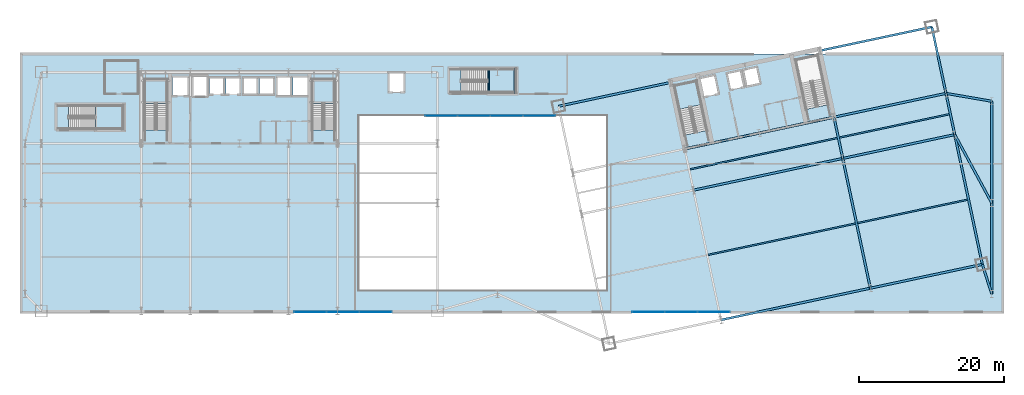
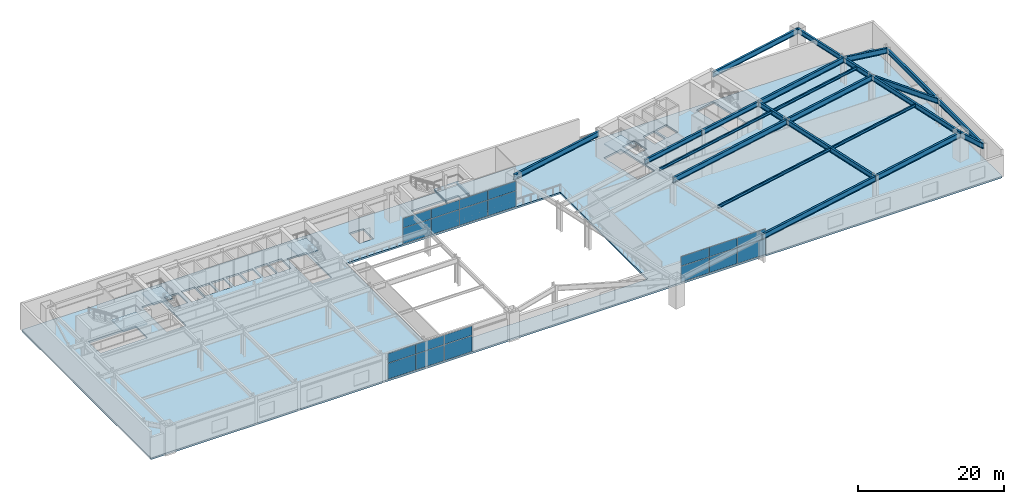
# One storey, part 15 of 30: 25 beams, 20 plates, 6 slabs, 8 elements without a shape of their own.
"""IFC4 building model written with IfcOpenShell, lengths in metres."""

from ifc_helpers import new_model, si_unit, direction, frame, origin, origin_2d, place, context, subcontext, project, spatial, polyline, rectangle, i_section, outline, extrude, material, layer, layer_set, material_profile, profile_set, type_object, element, aggregate, save


model = new_model("IFC4")

# Units and contexts
model_context = context("Model", 3, precision=1e-05, world=origin(), true_north=direction((0.0, 1.0)))
body_context = subcontext(model_context, "Body", "Model", "MODEL_VIEW")
ifc_project = project(units=[si_unit("LENGTHUNIT", "METRE"), si_unit("AREAUNIT", "SQUARE_METRE"), si_unit("VOLUMEUNIT", "CUBIC_METRE"), si_unit("PLANEANGLEUNIT", "RADIAN"), si_unit("MASSUNIT", "GRAM", prefix="KILO")], contexts=[model_context])

# Site, building, storey
site_placement = place(None, origin())
site = spatial("IfcSite", under=ifc_project, at=site_placement, CompositionType="ELEMENT")
building_placement = place(site_placement, origin())
building = spatial("IfcBuilding", under=site, at=building_placement, Name="Haevon Station Towers", CompositionType="ELEMENT")
storey_placement = place(building_placement, frame((0.0, 0.0, 15.60009765625)))
storey = spatial("IfcBuildingStorey", under=building, at=storey_placement, Name="L03", CompositionType="ELEMENT", Elevation=15.60009765625)

# Beams
ifc_material_1 = material(Name="Steel S355", Category="steel")
ifc_material_profile_1 = material_profile(ifc_material_1, i_section(OverallWidth=0.199951171875, OverallDepth=0.449951171875, WebThickness=0.009033203125, FlangeThickness=0.013916015625, at=origin_2d()), Name="H-450x200x9x14")
ifc_profile_set_1 = profile_set([ifc_material_profile_1], Name="Steel S355")
beam_type_1 = type_object("IfcBeamType", Name="BM-J450", PredefinedType="JOIST", material=ifc_profile_set_1)
beam_1_placement = place(storey_placement, frame((101.963134765625, 22.866455078125, 4.27490234375), z_axis=(0.97814804034, 0.207909622623, 0.0), x_axis=(-0.207909622623, 0.97814804034, 0.0)))
element("IfcBeam", 1, at=beam_1_placement, inside=storey, type_object=beam_type_1, Name="BM-T2J-L03-01-02", PredefinedType="JOIST", context=body_context, shape_type="SweptSolid", body=[
    extrude(i_section(OverallWidth=0.199951171875, OverallDepth=0.449951171875, WebThickness=0.009033203125, FlangeThickness=0.013916015625, at=origin_2d()), origin(), (0.0, 0.0, 1.0), 20.77978515625),
])
beam_2_placement = place(storey_placement, frame((122.504150390625, 27.232666015625, 4.27490234375), z_axis=(0.978149141128, 0.207904443699, 0.0), x_axis=(-0.207904443699, 0.978149141128, 0.0)))
element("IfcBeam", 2, at=beam_2_placement, inside=storey, type_object=beam_type_1, Name="BM-T2J-L03-01-03", PredefinedType="JOIST", context=body_context, shape_type="SweptSolid", body=[
    extrude(i_section(OverallWidth=0.199951171875, OverallDepth=0.449951171875, WebThickness=0.009033203125, FlangeThickness=0.013916015625, at=origin_2d()), origin(), (0.0, 0.0, 1.0), 15.530029296875),
])
beam_3_placement = place(storey_placement, frame((99.462890625, 34.628662109375, 4.27490234375), z_axis=(0.978148548197, 0.207907233306, 0.0), x_axis=(-0.207907233306, 0.978148548197, 0.0)))
element("IfcBeam", 3, at=beam_3_placement, inside=storey, type_object=beam_type_1, Name="BM-T2J-L03-02-02", PredefinedType="JOIST", context=body_context, shape_type="SweptSolid", body=[
    extrude(i_section(OverallWidth=0.199951171875, OverallDepth=0.449951171875, WebThickness=0.009033203125, FlangeThickness=0.013916015625, at=origin_2d()), origin(), (0.0, 0.0, 1.0), 20.780029296875),
])
beam_4_placement = place(storey_placement, frame((120.00390625, 38.994873046875, 4.27490234375), z_axis=(0.978149141128, 0.207904443699, 0.0), x_axis=(-0.207904443699, 0.978149141128, 0.0)))
element("IfcBeam", 4, at=beam_4_placement, inside=storey, type_object=beam_type_1, Name="BM-T2J-L03-02-03", PredefinedType="JOIST", context=body_context, shape_type="SweptSolid", body=[
    extrude(i_section(OverallWidth=0.199951171875, OverallDepth=0.449951171875, WebThickness=0.009033203125, FlangeThickness=0.013916015625, at=origin_2d()), origin(), (0.0, 0.0, 1.0), 15.530029296875),
])
ifc_material_profile_2 = material_profile(ifc_material_1, i_section(OverallWidth=0.14990234375, OverallDepth=0.300048828125, WebThickness=0.006591796875, FlangeThickness=0.009033203125, at=origin_2d()), Name="H-300x150x6.5x9")
ifc_profile_set_2 = profile_set([ifc_material_profile_2], Name="Steel S355")
beam_type_2 = type_object("IfcBeamType", Name="BM-LIN300", PredefinedType="LINTEL", material=ifc_profile_set_2)
for number, where, z_axis, x_axis, name in (
    (5, (71.81396484375, 45.0, 2.0498046875), (0.0, 1.0, 0.0), (-1.0, 0.0, 0.0), "BM-ST6L-L03-1-W"),
    (6, (75.320068359375, 45.0, 2.0498046875), (0.0, 1.0, 0.0), (-1.0, 0.0, 0.0), "BM-ST6L-L03-1-E"),
):
    element("IfcBeam", number, at=place(storey_placement, frame(where, z_axis=z_axis, x_axis=x_axis)), inside=storey, type_object=beam_type_2, Name=name, PredefinedType="LINTEL", context=body_context, shape_type="SweptSolid", body=[
        extrude(i_section(OverallWidth=0.14990234375, OverallDepth=0.300048828125, WebThickness=0.006591796875, FlangeThickness=0.009033203125, at=origin_2d()), origin(), (0.0, 0.0, 1.0), 3.60009765625),
    ])
ifc_material_profile_3 = material_profile(ifc_material_1, i_section(OverallWidth=0.300048828125, OverallDepth=0.800048828125, WebThickness=0.013916015625, FlangeThickness=0.02587890625, at=origin_2d()), Name="H-800x300x14x26")
ifc_profile_set_3 = profile_set([ifc_material_profile_3], Name="Steel S355")
beam_type_3 = type_object("IfcBeamType", Name="BM-PG800", PredefinedType="BEAM", material=ifc_profile_set_3)
for number, where, z_axis, x_axis, name in (
    (7, (98.75244140625, 37.4423828125, 4.099853515625), (0.978146794194, 0.207915485254, 0.0), (-0.207915485254, 0.978146794194, 0.0), "BM-T2U-L03-03-02"),
    (8, (109.02294921875, 39.62548828125, 4.099853515625), (0.978146794194, 0.207915485254, 0.0), (-0.207915485254, 0.978146794194, 0.0), "BM-T2U-L03-03-03"),
):
    element("IfcBeam", number, at=place(storey_placement, frame(where, z_axis=z_axis, x_axis=x_axis)), inside=storey, type_object=beam_type_3, Name=name, PredefinedType="BEAM", context=body_context, shape_type="SweptSolid", body=[
        extrude(i_section(OverallWidth=0.300048828125, OverallDepth=0.800048828125, WebThickness=0.013916015625, FlangeThickness=0.02587890625, at=origin_2d()), origin(), (0.0, 0.0, 1.0), 10.5),
    ])
beam_5_placement = place(storey_placement, frame((124.293701171875, 18.2841796875, 4.099853515625), z_axis=(-0.207915393978, 0.978146813595, 0.0), x_axis=(-0.978146813595, -0.207915393978, 0.0)))
element("IfcBeam", 9, at=beam_5_placement, inside=storey, type_object=beam_type_3, Name="BM-T2V-L03-04-01", PredefinedType="BEAM", context=body_context, shape_type="SweptSolid", body=[
    extrude(i_section(OverallWidth=0.300048828125, OverallDepth=0.800048828125, WebThickness=0.013916015625, FlangeThickness=0.02587890625, at=origin_2d()), origin(), (0.0, 0.0, 1.0), 18.25),
])
beam_6_placement = place(storey_placement, frame((120.499267578125, 36.13525390625, 4.099853515625), z_axis=(-0.207896009217, 0.97815093383, 0.0), x_axis=(-0.97815093383, -0.207896009217, 0.0)))
element("IfcBeam", 10, at=beam_6_placement, inside=storey, type_object=beam_type_3, Name="BM-T2V-L03-04-02", PredefinedType="BEAM", context=body_context, shape_type="SweptSolid", body=[
    extrude(i_section(OverallWidth=0.300048828125, OverallDepth=0.800048828125, WebThickness=0.013916015625, FlangeThickness=0.02587890625, at=origin_2d()), origin(), (0.0, 0.0, 1.0), 5.800048828125),
])
beam_7_placement = place(storey_placement, frame((139.699462890625, 21.558837890625, 4.099853515625), z_axis=(-0.207902594577, 0.978149534155, 0.0), x_axis=(-0.978149534155, -0.207902594577, 0.0)))
element("IfcBeam", 11, at=beam_7_placement, inside=storey, type_object=beam_type_3, Name="BM-T2V-L03-05-01", PredefinedType="BEAM", context=body_context, shape_type="SweptSolid", body=[
    extrude(i_section(OverallWidth=0.300048828125, OverallDepth=0.800048828125, WebThickness=0.013916015625, FlangeThickness=0.02587890625, at=origin_2d()), origin(), (0.0, 0.0, 1.0), 18.249755859375),
])
beam_8_placement = place(storey_placement, frame((135.9052734375, 39.409912109375, 4.099853515625), z_axis=(-0.207936282142, 0.978142373363, 0.0), x_axis=(-0.978142373363, -0.207936282142, 0.0)))
element("IfcBeam", 12, at=beam_8_placement, inside=storey, type_object=beam_type_3, Name="BM-T2V-L03-05-02", PredefinedType="BEAM", context=body_context, shape_type="SweptSolid", body=[
    extrude(i_section(OverallWidth=0.300048828125, OverallDepth=0.800048828125, WebThickness=0.013916015625, FlangeThickness=0.02587890625, at=origin_2d()), origin(), (0.0, 0.0, 1.0), 5.800048828125),
])
beam_9_placement = place(storey_placement, frame((134.69921875, 45.083251953125, 4.099853515625), z_axis=(-0.207902477038, 0.978149559138, 0.0), x_axis=(-0.978149559138, -0.207902477038, 0.0)))
element("IfcBeam", 13, at=beam_9_placement, inside=storey, type_object=beam_type_3, Name="BM-T2V-L03-05-03", PredefinedType="BEAM", context=body_context, shape_type="SweptSolid", body=[
    extrude(i_section(OverallWidth=0.300048828125, OverallDepth=0.800048828125, WebThickness=0.013916015625, FlangeThickness=0.02587890625, at=origin_2d()), origin(), (0.0, 0.0, 1.0), 9.349853515625),
])
beam_10_placement = place(storey_placement, frame((141.0, 17.5, 4.099853515625), z_axis=(0.0, 1.0, 0.0), x_axis=(-1.0, 0.0, 0.0)))
element("IfcBeam", 14, at=beam_10_placement, inside=storey, type_object=beam_type_3, Name="BM-PODNS-L03-E1", PredefinedType="BEAM", context=body_context, shape_type="SweptSolid", body=[
    extrude(i_section(OverallWidth=0.300048828125, OverallDepth=0.800048828125, WebThickness=0.013916015625, FlangeThickness=0.02587890625, at=origin_2d()), origin(), (0.0, 0.0, 1.0), 12.5),
])
beam_11_placement = place(storey_placement, frame((141.0, 30.0, 4.099853515625), z_axis=(0.0, 1.0, 0.0), x_axis=(-1.0, 0.0, 0.0)))
element("IfcBeam", 15, at=beam_11_placement, inside=storey, type_object=beam_type_3, Name="BM-PODNS-L03-E2", PredefinedType="BEAM", context=body_context, shape_type="SweptSolid", body=[
    extrude(i_section(OverallWidth=0.300048828125, OverallDepth=0.800048828125, WebThickness=0.013916015625, FlangeThickness=0.02587890625, at=origin_2d()), origin(), (0.0, 0.0, 1.0), 14.0),
])
ifc_material_profile_4 = material_profile(ifc_material_1, i_section(OverallWidth=0.300048828125, OverallDepth=0.89990234375, WebThickness=0.01611328125, FlangeThickness=0.028076171875, at=origin_2d()), Name="H-900x300x16x28")
ifc_profile_set_4 = profile_set([ifc_material_profile_4], Name="Steel S355")
beam_type_4 = type_object("IfcBeamType", Name="BM-PG900", PredefinedType="BEAM", material=ifc_profile_set_4)
beam_12_placement = place(storey_placement, frame((103.752685546875, 13.91796875, 4.0498046875), z_axis=(0.978146794194, 0.207915485254, 0.0), x_axis=(-0.207915485254, 0.978146794194, 0.0)))
element("IfcBeam", 16, at=beam_12_placement, inside=storey, type_object=beam_type_4, Name="BM-T2U-L03-01-02", PredefinedType="BEAM", context=body_context, shape_type="SweptSolid", body=[
    extrude(i_section(OverallWidth=0.300048828125, OverallDepth=0.89990234375, WebThickness=0.01611328125, FlangeThickness=0.028076171875, at=origin_2d()), origin(), (0.0, 0.0, 1.0), 21.0),
])
beam_13_placement = place(storey_placement, frame((124.293701171875, 18.2841796875, 4.0498046875), z_axis=(0.978146794194, 0.207915485254, 0.0), x_axis=(-0.207915485254, 0.978146794194, 0.0)))
element("IfcBeam", 17, at=beam_13_placement, inside=storey, type_object=beam_type_4, Name="BM-T2U-L03-01-04", PredefinedType="BEAM", context=body_context, shape_type="SweptSolid", body=[
    extrude(i_section(OverallWidth=0.300048828125, OverallDepth=0.89990234375, WebThickness=0.01611328125, FlangeThickness=0.028076171875, at=origin_2d()), origin(), (0.0, 0.0, 1.0), 15.75),
])
beam_14_placement = place(storey_placement, frame((99.958251953125, 31.76904296875, 4.0498046875), z_axis=(0.978146794194, 0.207915485254, 0.0), x_axis=(-0.207915485254, 0.978146794194, 0.0)))
element("IfcBeam", 18, at=beam_14_placement, inside=storey, type_object=beam_type_4, Name="BM-T2U-L03-02-02", PredefinedType="BEAM", context=body_context, shape_type="SweptSolid", body=[
    extrude(i_section(OverallWidth=0.300048828125, OverallDepth=0.89990234375, WebThickness=0.01611328125, FlangeThickness=0.028076171875, at=origin_2d()), origin(), (0.0, 0.0, 1.0), 21.0),
])
beam_15_placement = place(storey_placement, frame((120.499267578125, 36.13525390625, 4.0498046875), z_axis=(0.978147464271, 0.207912332825, 0.0), x_axis=(-0.207912332825, 0.978147464271, 0.0)))
element("IfcBeam", 19, at=beam_15_placement, inside=storey, type_object=beam_type_4, Name="BM-T2U-L03-02-04", PredefinedType="BEAM", context=body_context, shape_type="SweptSolid", body=[
    extrude(i_section(OverallWidth=0.300048828125, OverallDepth=0.89990234375, WebThickness=0.01611328125, FlangeThickness=0.028076171875, at=origin_2d()), origin(), (0.0, 0.0, 1.0), 15.750244140625),
])
for number, where, z_axis, x_axis, name in (
    (20, (119.29345703125, 41.80859375, 4.0498046875), (0.978146794194, 0.207915485254, 0.0), (-0.207915485254, 0.978146794194, 0.0), "BM-T2U-L03-03-04"),
    (21, (81.402587890625, 43.3134765625, 4.0498046875), (0.978146794194, 0.207915485254, 0.0), (-0.207915485254, 0.978146794194, 0.0), "BM-T2U-L03-04-01"),
):
    element("IfcBeam", number, at=place(storey_placement, frame(where, z_axis=z_axis, x_axis=x_axis)), inside=storey, type_object=beam_type_4, Name=name, PredefinedType="BEAM", context=body_context, shape_type="SweptSolid", body=[
        extrude(i_section(OverallWidth=0.300048828125, OverallDepth=0.89990234375, WebThickness=0.01611328125, FlangeThickness=0.028076171875, at=origin_2d()), origin(), (0.0, 0.0, 1.0), 15.75),
    ])
beam_16_placement = place(storey_placement, frame((117.349365234375, 50.954345703125, 4.0498046875), z_axis=(0.978150616551, 0.207897502008, 0.0), x_axis=(-0.207897502008, 0.978150616551, 0.0)))
element("IfcBeam", 22, at=beam_16_placement, inside=storey, type_object=beam_type_4, Name="BM-T2U-L03-04-04", PredefinedType="BEAM", context=body_context, shape_type="SweptSolid", body=[
    extrude(i_section(OverallWidth=0.300048828125, OverallDepth=0.89990234375, WebThickness=0.01611328125, FlangeThickness=0.028076171875, at=origin_2d()), origin(), (0.0, 0.0, 1.0), 15.750244140625),
])
beam_17_placement = place(storey_placement, frame((139.699462890625, 21.558837890625, 4.0498046875), z_axis=(0.305139430983, -0.952307685393, 0.0), x_axis=(0.952307685393, 0.305139430983, 0.0)))
element("IfcBeam", 23, at=beam_17_placement, inside=storey, type_object=beam_type_4, Name="BM-PODE-L03-1", PredefinedType="BEAM", context=body_context, shape_type="SweptSolid", body=[
    extrude(i_section(OverallWidth=0.300048828125, OverallDepth=0.89990234375, WebThickness=0.01611328125, FlangeThickness=0.028076171875, at=origin_2d()), origin(), (0.0, 0.0, 1.0), 4.26220703125),
])
beam_18_placement = place(storey_placement, frame((135.9052734375, 39.409912109375, 4.0498046875), z_axis=(0.476116295025, -0.879382325051, 0.0), x_axis=(0.879382325051, 0.476116295025, 0.0)))
element("IfcBeam", 24, at=beam_18_placement, inside=storey, type_object=beam_type_4, Name="BM-PODE-L03-2", PredefinedType="BEAM", context=body_context, shape_type="SweptSolid", body=[
    extrude(i_section(OverallWidth=0.300048828125, OverallDepth=0.89990234375, WebThickness=0.01611328125, FlangeThickness=0.028076171875, at=origin_2d()), origin(), (0.0, 0.0, 1.0), 10.70068359375),
])
beam_19_placement = place(storey_placement, frame((134.69921875, 45.083251953125, 4.0498046875), z_axis=(0.985540920751, -0.169437580028, 0.0), x_axis=(0.169437580028, 0.985540920751, 0.0)))
element("IfcBeam", 25, at=beam_19_placement, inside=storey, type_object=beam_type_4, Name="BM-PODE-L03-3", PredefinedType="BEAM", context=body_context, shape_type="SweptSolid", body=[
    extrude(i_section(OverallWidth=0.300048828125, OverallDepth=0.89990234375, WebThickness=0.01611328125, FlangeThickness=0.028076171875, at=origin_2d()), origin(), (0.0, 0.0, 1.0), 6.393310546875),
])

# Curtain wall, plates
ifc_material_2 = material(Name="Anodised aluminium and Low-E double glazing", Category="aluminium")
ifc_layer_1 = layer(ifc_material_2, 0.179931640625)
ifc_layer_set_1 = layer_set([ifc_layer_1], Name="Anodised aluminium and Low-E double glazing")
curtain_wall_type = type_object("IfcCurtainWallType", Name="CW-SYS2", PredefinedType="NOTDEFINED", material=ifc_layer_set_1)
curtain_wall_1_placement = place(storey_placement, origin())
curtain_wall_1 = element("IfcCurtainWall", 26, at=curtain_wall_1_placement, inside=storey, type_object=curtain_wall_type, Name="L03 Curtain Wall CW-POD-L03-S1", PredefinedType="NOTDEFINED")
ifc_material_3 = material(Name="Low-E double glazing", Category="glass")
ifc_layer_2 = layer(ifc_material_3, 0.028076171875)
ifc_layer_set_2 = layer_set([ifc_layer_2], Name="Low-E double glazing")
plate_type = type_object("IfcPlateType", Name="CWP-GLZ28", PredefinedType="CURTAIN_PANEL", material=ifc_layer_set_2)
plate_1_placement = place(storey_placement, frame((102.733642578125, 15.0, 0.06005859375), z_axis=(0.0, 0.0, 1.0), x_axis=(-1.0, 0.0, 0.0)))
plate_1 = element("IfcPlate", 27, at=plate_1_placement, type_object=plate_type, Name="CW-SYS2 panel 1.1", PredefinedType="CURTAIN_PANEL", context=body_context, shape_type="SweptSolid", body=[
    extrude(rectangle(XDim=4.402587890625, YDim=0.028076171875, at=origin_2d()), origin(), (0.0, 0.0, 1.0), 2.637939453125),
])
plate_2_placement = place(storey_placement, frame((102.733642578125, 15.0, 2.7578125), z_axis=(0.0, 0.0, 1.0), x_axis=(-1.0, 0.0, 0.0)))
plate_2 = element("IfcPlate", 28, at=plate_2_placement, type_object=plate_type, Name="CW-SYS2 panel 1.2", PredefinedType="CURTAIN_PANEL", context=body_context, shape_type="SweptSolid", body=[
    extrude(rectangle(XDim=4.402587890625, YDim=0.028076171875, at=origin_2d()), origin(), (0.0, 0.0, 1.0), 1.58203125),
])
plate_3_placement = place(storey_placement, frame((98.25, 15.0, 0.06005859375), z_axis=(0.0, 0.0, 1.0), x_axis=(-1.0, 0.0, 0.0)))
plate_3 = element("IfcPlate", 29, at=plate_3_placement, type_object=plate_type, Name="CW-SYS2 panel 2.1", PredefinedType="CURTAIN_PANEL", context=body_context, shape_type="SweptSolid", body=[
    extrude(rectangle(XDim=4.43505859375, YDim=0.028076171875, at=origin_2d()), origin(), (0.0, 0.0, 1.0), 2.637939453125),
])
plate_4_placement = place(storey_placement, frame((98.25, 15.0, 2.7578125), z_axis=(0.0, 0.0, 1.0), x_axis=(-1.0, 0.0, 0.0)))
plate_4 = element("IfcPlate", 30, at=plate_4_placement, type_object=plate_type, Name="CW-SYS2 panel 2.2", PredefinedType="CURTAIN_PANEL", context=body_context, shape_type="SweptSolid", body=[
    extrude(rectangle(XDim=4.43505859375, YDim=0.028076171875, at=origin_2d()), origin(), (0.0, 0.0, 1.0), 1.58203125),
])
plate_5_placement = place(storey_placement, frame((93.766357421875, 15.0, 0.06005859375), z_axis=(0.0, 0.0, 1.0), x_axis=(-1.0, 0.0, 0.0)))
plate_5 = element("IfcPlate", 31, at=plate_5_placement, type_object=plate_type, Name="CW-SYS2 panel 3.1", PredefinedType="CURTAIN_PANEL", context=body_context, shape_type="SweptSolid", body=[
    extrude(rectangle(XDim=4.402587890625, YDim=0.028076171875, at=origin_2d()), origin(), (0.0, 0.0, 1.0), 2.637939453125),
])
plate_6_placement = place(storey_placement, frame((93.766357421875, 15.0, 2.7578125), z_axis=(0.0, 0.0, 1.0), x_axis=(-1.0, 0.0, 0.0)))
plate_6 = element("IfcPlate", 32, at=plate_6_placement, type_object=plate_type, Name="CW-SYS2 panel 3.2", PredefinedType="CURTAIN_PANEL", context=body_context, shape_type="SweptSolid", body=[
    extrude(rectangle(XDim=4.402587890625, YDim=0.028076171875, at=origin_2d()), origin(), (0.0, 0.0, 1.0), 1.58203125),
])
aggregate(curtain_wall_1, [plate_1, plate_2, plate_3, plate_4, plate_5, plate_6])

curtain_wall_2_placement = place(storey_placement, origin())
curtain_wall_2 = element("IfcCurtainWall", 33, at=curtain_wall_2_placement, inside=storey, type_object=curtain_wall_type, Name="L03 Curtain Wall CW-POD-L03-S2", PredefinedType="NOTDEFINED")
plate_7_placement = place(storey_placement, frame((56.233642578125, 15.0, 0.06005859375), z_axis=(0.0, 0.0, 1.0), x_axis=(-1.0, 0.0, 0.0)))
plate_7 = element("IfcPlate", 34, at=plate_7_placement, type_object=plate_type, Name="CW-SYS2 panel 1.1", PredefinedType="CURTAIN_PANEL", context=body_context, shape_type="SweptSolid", body=[
    extrude(rectangle(XDim=4.402587890625, YDim=0.028076171875, at=origin_2d()), origin(), (0.0, 0.0, 1.0), 2.637939453125),
])
plate_8_placement = place(storey_placement, frame((56.233642578125, 15.0, 2.7578125), z_axis=(0.0, 0.0, 1.0), x_axis=(-1.0, 0.0, 0.0)))
plate_8 = element("IfcPlate", 35, at=plate_8_placement, type_object=plate_type, Name="CW-SYS2 panel 1.2", PredefinedType="CURTAIN_PANEL", context=body_context, shape_type="SweptSolid", body=[
    extrude(rectangle(XDim=4.402587890625, YDim=0.028076171875, at=origin_2d()), origin(), (0.0, 0.0, 1.0), 1.58203125),
])
plate_9_placement = place(storey_placement, frame((51.75, 15.0, 0.06005859375), z_axis=(0.0, 0.0, 1.0), x_axis=(-1.0, 0.0, 0.0)))
plate_9 = element("IfcPlate", 36, at=plate_9_placement, type_object=plate_type, Name="CW-SYS2 panel 2.1", PredefinedType="CURTAIN_PANEL", context=body_context, shape_type="SweptSolid", body=[
    extrude(rectangle(XDim=4.43505859375, YDim=0.028076171875, at=origin_2d()), origin(), (0.0, 0.0, 1.0), 2.637939453125),
])
plate_10_placement = place(storey_placement, frame((51.75, 15.0, 2.7578125), z_axis=(0.0, 0.0, 1.0), x_axis=(-1.0, 0.0, 0.0)))
plate_10 = element("IfcPlate", 37, at=plate_10_placement, type_object=plate_type, Name="CW-SYS2 panel 2.2", PredefinedType="CURTAIN_PANEL", context=body_context, shape_type="SweptSolid", body=[
    extrude(rectangle(XDim=4.43505859375, YDim=0.028076171875, at=origin_2d()), origin(), (0.0, 0.0, 1.0), 1.58203125),
])
plate_11_placement = place(storey_placement, frame((47.266357421875, 15.0, 0.06005859375), z_axis=(0.0, 0.0, 1.0), x_axis=(-1.0, 0.0, 0.0)))
plate_11 = element("IfcPlate", 38, at=plate_11_placement, type_object=plate_type, Name="CW-SYS2 panel 3.1", PredefinedType="CURTAIN_PANEL", context=body_context, shape_type="SweptSolid", body=[
    extrude(rectangle(XDim=4.402587890625, YDim=0.028076171875, at=origin_2d()), origin(), (0.0, 0.0, 1.0), 2.637939453125),
])
plate_12_placement = place(storey_placement, frame((47.266357421875, 15.0, 2.7578125), z_axis=(0.0, 0.0, 1.0), x_axis=(-1.0, 0.0, 0.0)))
plate_12 = element("IfcPlate", 39, at=plate_12_placement, type_object=plate_type, Name="CW-SYS2 panel 3.2", PredefinedType="CURTAIN_PANEL", context=body_context, shape_type="SweptSolid", body=[
    extrude(rectangle(XDim=4.402587890625, YDim=0.028076171875, at=origin_2d()), origin(), (0.0, 0.0, 1.0), 1.58203125),
])
aggregate(curtain_wall_2, [plate_7, plate_8, plate_9, plate_10, plate_11, plate_12])

curtain_wall_3_placement = place(storey_placement, origin())
curtain_wall_3 = element("IfcCurtainWall", 40, at=curtain_wall_3_placement, inside=storey, type_object=curtain_wall_type, Name="L03 Curtain Wall CW-POD-L03-ATRN", PredefinedType="NOTDEFINED")
plate_13_placement = place(storey_placement, frame((65.266357421875, 42.0, 0.06005859375), z_axis=(0.0, 0.0, 1.0), x_axis=(1.0, 0.0, 0.0)))
plate_13 = element("IfcPlate", 41, at=plate_13_placement, type_object=plate_type, Name="CW-SYS2 panel 1.1", PredefinedType="CURTAIN_PANEL", context=body_context, shape_type="SweptSolid", body=[
    extrude(rectangle(XDim=4.402587890625, YDim=0.028076171875, at=origin_2d()), origin(), (0.0, 0.0, 1.0), 2.637939453125),
])
plate_14_placement = place(storey_placement, frame((65.266357421875, 42.0, 2.7578125), z_axis=(0.0, 0.0, 1.0), x_axis=(1.0, 0.0, 0.0)))
plate_14 = element("IfcPlate", 42, at=plate_14_placement, type_object=plate_type, Name="CW-SYS2 panel 1.2", PredefinedType="CURTAIN_PANEL", context=body_context, shape_type="SweptSolid", body=[
    extrude(rectangle(XDim=4.402587890625, YDim=0.028076171875, at=origin_2d()), origin(), (0.0, 0.0, 1.0), 1.58203125),
])
plate_15_placement = place(storey_placement, frame((69.75, 42.0, 0.06005859375), z_axis=(0.0, 0.0, 1.0), x_axis=(1.0, 0.0, 0.0)))
plate_15 = element("IfcPlate", 43, at=plate_15_placement, type_object=plate_type, Name="CW-SYS2 panel 2.1", PredefinedType="CURTAIN_PANEL", context=body_context, shape_type="SweptSolid", body=[
    extrude(rectangle(XDim=4.43505859375, YDim=0.028076171875, at=origin_2d()), origin(), (0.0, 0.0, 1.0), 2.637939453125),
])
plate_16_placement = place(storey_placement, frame((69.75, 42.0, 2.7578125), z_axis=(0.0, 0.0, 1.0), x_axis=(1.0, 0.0, 0.0)))
plate_16 = element("IfcPlate", 44, at=plate_16_placement, type_object=plate_type, Name="CW-SYS2 panel 2.2", PredefinedType="CURTAIN_PANEL", context=body_context, shape_type="SweptSolid", body=[
    extrude(rectangle(XDim=4.43505859375, YDim=0.028076171875, at=origin_2d()), origin(), (0.0, 0.0, 1.0), 1.58203125),
])
plate_17_placement = place(storey_placement, frame((74.25, 42.0, 0.06005859375), z_axis=(0.0, 0.0, 1.0), x_axis=(1.0, 0.0, 0.0)))
plate_17 = element("IfcPlate", 45, at=plate_17_placement, type_object=plate_type, Name="CW-SYS2 panel 3.1", PredefinedType="CURTAIN_PANEL", context=body_context, shape_type="SweptSolid", body=[
    extrude(rectangle(XDim=4.43505859375, YDim=0.028076171875, at=origin_2d()), origin(), (0.0, 0.0, 1.0), 2.637939453125),
])
plate_18_placement = place(storey_placement, frame((74.25, 42.0, 2.7578125), z_axis=(0.0, 0.0, 1.0), x_axis=(1.0, 0.0, 0.0)))
plate_18 = element("IfcPlate", 46, at=plate_18_placement, type_object=plate_type, Name="CW-SYS2 panel 3.2", PredefinedType="CURTAIN_PANEL", context=body_context, shape_type="SweptSolid", body=[
    extrude(rectangle(XDim=4.43505859375, YDim=0.028076171875, at=origin_2d()), origin(), (0.0, 0.0, 1.0), 1.58203125),
])
plate_19_placement = place(storey_placement, frame((78.733642578125, 42.0, 0.06005859375), z_axis=(0.0, 0.0, 1.0), x_axis=(1.0, 0.0, 0.0)))
plate_19 = element("IfcPlate", 47, at=plate_19_placement, type_object=plate_type, Name="CW-SYS2 panel 4.1", PredefinedType="CURTAIN_PANEL", context=body_context, shape_type="SweptSolid", body=[
    extrude(rectangle(XDim=4.402587890625, YDim=0.028076171875, at=origin_2d()), origin(), (0.0, 0.0, 1.0), 2.637939453125),
])
plate_20_placement = place(storey_placement, frame((78.733642578125, 42.0, 2.7578125), z_axis=(0.0, 0.0, 1.0), x_axis=(1.0, 0.0, 0.0)))
plate_20 = element("IfcPlate", 48, at=plate_20_placement, type_object=plate_type, Name="CW-SYS2 panel 4.2", PredefinedType="CURTAIN_PANEL", context=body_context, shape_type="SweptSolid", body=[
    extrude(rectangle(XDim=4.402587890625, YDim=0.028076171875, at=origin_2d()), origin(), (0.0, 0.0, 1.0), 1.58203125),
])
aggregate(curtain_wall_3, [plate_13, plate_14, plate_15, plate_16, plate_17, plate_18, plate_19, plate_20])

# Stair, slab
ifc_material_4 = material(Name="Concrete C40/50", Category="concrete")
stair_type_1 = type_object("IfcStairType", Name="STR-DL1450", PredefinedType="USERDEFINED", material=ifc_material_4)
stair_1_placement = place(storey_placement, origin())
stair_1 = element("IfcStair", 49, at=stair_1_placement, inside=storey, type_object=stair_type_1, Name="L03 Escape Stair ST1", ObjectType="TWO_RETURN_STAIR", PredefinedType="USERDEFINED")
ifc_layer_3 = layer(ifc_material_4, 0.199951171875)
ifc_layer_set_3 = layer_set([ifc_layer_3], Name="Concrete C40/50")
slab_type_1 = type_object("IfcSlabType", Name="SL-LND200", PredefinedType="LANDING", material=ifc_layer_set_3)
slab_1_placement = place(storey_placement, frame((0.0, 0.0, 2.199951171875)))
slab_1 = element("IfcSlab", 50, at=slab_1_placement, type_object=slab_type_1, Name="L03 ST1 Half Landing 1", PredefinedType="LANDING", context=body_context, shape_type="SweptSolid", body=[
    extrude(outline(polyline([(27.580078125, 43.68408203125), (27.580078125, 47.0), (24.47998046875, 47.0), (24.47998046875, 43.68408203125), (27.580078125, 43.68408203125)])), origin(), (0.0, 0.0, 1.0), 0.199951171875),
])
aggregate(stair_1, [slab_1])

stair_2_placement = place(storey_placement, origin())
stair_2 = element("IfcStair", 51, at=stair_2_placement, inside=storey, type_object=stair_type_1, Name="L03 Escape Stair ST2", ObjectType="TWO_RETURN_STAIR", PredefinedType="USERDEFINED")
slab_2_placement = place(storey_placement, frame((0.0, 0.0, 2.199951171875)))
slab_2 = element("IfcSlab", 52, at=slab_2_placement, type_object=slab_type_1, Name="L03 ST2 Half Landing 1", PredefinedType="LANDING", context=body_context, shape_type="SweptSolid", body=[
    extrude(outline(polyline([(50.6201171875, 43.68408203125), (50.6201171875, 47.0), (47.52001953125, 47.0), (47.52001953125, 43.68408203125), (50.6201171875, 43.68408203125)])), origin(), (0.0, 0.0, 1.0), 0.199951171875),
])
aggregate(stair_2, [slab_2])

stair_3_placement = place(storey_placement, origin())
stair_3 = element("IfcStair", 53, at=stair_3_placement, inside=storey, type_object=stair_type_1, Name="L03 Escape Stair ST3", ObjectType="TWO_RETURN_STAIR", PredefinedType="USERDEFINED")
slab_3_placement = place(storey_placement, frame((0.0, 0.0, 2.199951171875)))
slab_3 = element("IfcSlab", 54, at=slab_3_placement, type_object=slab_type_1, Name="L03 ST3 Half Landing 1", PredefinedType="LANDING", context=body_context, shape_type="SweptSolid", body=[
    extrude(outline(polyline([(101.05517578125, 43.538330078125), (100.36572265625, 46.781982421875), (97.33349609375, 46.137451171875), (98.02294921875, 42.893798828125), (101.05517578125, 43.538330078125)])), origin(), (0.0, 0.0, 1.0), 0.199951171875),
])
aggregate(stair_3, [slab_3])

stair_type_2 = type_object("IfcStairType", Name="STR-DL1500", PredefinedType="USERDEFINED", material=ifc_material_4)
stair_4_placement = place(storey_placement, origin())
stair_4 = element("IfcStair", 55, at=stair_4_placement, inside=storey, type_object=stair_type_2, Name="L03 Escape Stair ST5", ObjectType="TWO_RETURN_STAIR", PredefinedType="USERDEFINED")
slab_4_placement = place(storey_placement, frame((0.0, 0.0, 2.199951171875)))
slab_4 = element("IfcSlab", 56, at=slab_4_placement, type_object=slab_type_1, Name="L03 ST5 Half Landing 1", PredefinedType="LANDING", context=body_context, shape_type="SweptSolid", body=[
    extrude(outline(polyline([(17.634033203125, 40.199951171875), (21.5, 40.199951171875), (21.5, 43.39990234375), (17.634033203125, 43.39990234375), (17.634033203125, 40.199951171875)])), origin(), (0.0, 0.0, 1.0), 0.199951171875),
])
aggregate(stair_4, [slab_4])

stair_5_placement = place(storey_placement, origin())
stair_5 = element("IfcStair", 57, at=stair_5_placement, inside=storey, type_object=stair_type_2, Name="L03 Escape Stair ST6", ObjectType="TWO_RETURN_STAIR", PredefinedType="USERDEFINED")
slab_5_placement = place(storey_placement, frame((0.0, 0.0, 2.199951171875)))
slab_5 = element("IfcSlab", 58, at=slab_5_placement, type_object=slab_type_1, Name="L03 ST6 Half Landing 1", PredefinedType="LANDING", context=body_context, shape_type="SweptSolid", body=[
    extrude(outline(polyline([(71.634033203125, 45.199951171875), (75.5, 45.199951171875), (75.5, 48.39990234375), (71.634033203125, 48.39990234375), (71.634033203125, 45.199951171875)])), origin(), (0.0, 0.0, 1.0), 0.199951171875),
])
aggregate(stair_5, [slab_5])

# Slab
ifc_layer_4 = layer(ifc_material_4, 0.300048828125)
ifc_layer_set_4 = layer_set([ifc_layer_4], Name="Concrete C40/50")
slab_type_2 = type_object("IfcSlabType", Name="SL-POD300", PredefinedType="FLOOR", material=ifc_layer_set_4)
slab_6_placement = place(storey_placement, frame((0.0, 0.0, -0.300048828125)))
element("IfcSlab", 59, at=slab_6_placement, inside=storey, type_object=slab_type_2, Name="SL-POD-L03", PredefinedType="FLOOR", context=body_context, shape_type="SweptSolid", body=[
    extrude(outline(polyline([(7.5, 15.0), (142.5, 15.0), (142.5, 50.5), (7.5, 50.5), (7.5, 15.0)]), holes=[polyline([(54.0, 18.0), (88.0, 18.0), (88.0, 42.0), (54.0, 42.0), (54.0, 18.0)]), polyline([(27.580078125, 40.055908203125), (27.580078125, 47.0), (24.47998046875, 47.0), (24.47998046875, 40.055908203125), (27.580078125, 40.055908203125)]), polyline([(50.6201171875, 40.055908203125), (50.6201171875, 47.0), (47.52001953125, 47.0), (47.52001953125, 40.055908203125), (50.6201171875, 40.055908203125)]), polyline([(101.8095703125, 39.98974609375), (100.36572265625, 46.781982421875), (97.33349609375, 46.137451171875), (98.77734375, 39.34521484375), (101.8095703125, 39.98974609375)]), polyline([(118.496826171875, 43.53662109375), (117.052978515625, 50.328857421875), (114.020751953125, 49.684326171875), (115.464599609375, 42.89208984375), (118.496826171875, 43.53662109375)]), polyline([(14.006103515625, 40.199951171875), (21.5, 40.199951171875), (21.5, 43.39990234375), (14.006103515625, 43.39990234375), (14.006103515625, 40.199951171875)]), polyline([(68.006103515625, 45.199951171875), (75.5, 45.199951171875), (75.5, 48.39990234375), (68.006103515625, 48.39990234375), (68.006103515625, 45.199951171875)]), polyline([(28.300048828125, 44.699951171875), (30.5, 44.699951171875), (30.5, 47.39990234375), (28.300048828125, 47.39990234375), (28.300048828125, 44.699951171875)]), polyline([(101.43212890625, 44.554931640625), (103.486328125, 44.99169921875), (102.9248046875, 47.632568359375), (100.870849609375, 47.196044921875), (101.43212890625, 44.554931640625)]), polyline([(31.050048828125, 44.60009765625), (33.14990234375, 44.60009765625), (33.14990234375, 47.5), (31.050048828125, 47.5), (31.050048828125, 44.60009765625)]), polyline([(33.39990234375, 44.89990234375), (35.39990234375, 44.89990234375), (35.39990234375, 47.300048828125), (33.39990234375, 47.300048828125), (33.39990234375, 44.89990234375)]), polyline([(35.64990234375, 44.89990234375), (37.64990234375, 44.89990234375), (37.64990234375, 47.300048828125), (35.64990234375, 47.300048828125), (35.64990234375, 44.89990234375)]), polyline([(38.0, 44.89990234375), (40.0, 44.89990234375), (40.0, 47.300048828125), (38.0, 47.300048828125), (38.0, 44.89990234375)]), polyline([(40.25, 44.89990234375), (42.25, 44.89990234375), (42.25, 47.300048828125), (40.25, 47.300048828125), (40.25, 44.89990234375)]), polyline([(42.60009765625, 44.699951171875), (44.60009765625, 44.699951171875), (44.60009765625, 47.39990234375), (42.60009765625, 47.39990234375), (42.60009765625, 44.699951171875)]), polyline([(44.85009765625, 44.699951171875), (46.85009765625, 44.699951171875), (46.85009765625, 47.39990234375), (44.85009765625, 47.39990234375), (44.85009765625, 44.699951171875)]), polyline([(105.009765625, 45.519775390625), (106.966064453125, 45.935791015625), (106.467041015625, 48.283203125), (104.5107421875, 47.867431640625), (105.009765625, 45.519775390625)]), polyline([(107.259521484375, 45.998046875), (109.2158203125, 46.413818359375), (108.716796875, 48.761474609375), (106.760498046875, 48.345703125), (107.259521484375, 45.998046875)]), polyline([(58.0, 45.199951171875), (60.199951171875, 45.199951171875), (60.199951171875, 48.0), (58.0, 48.0), (58.0, 45.199951171875)])]), origin(), (0.0, 0.0, 1.0), 0.300048828125),
])

save(model, "model.ifc")
